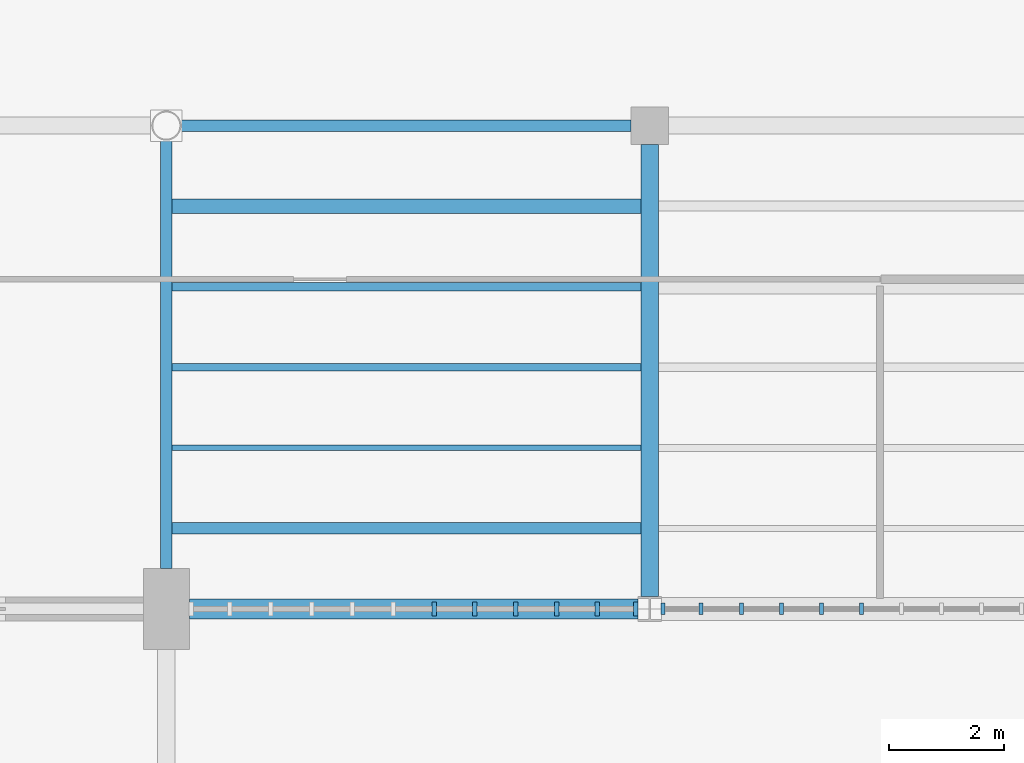
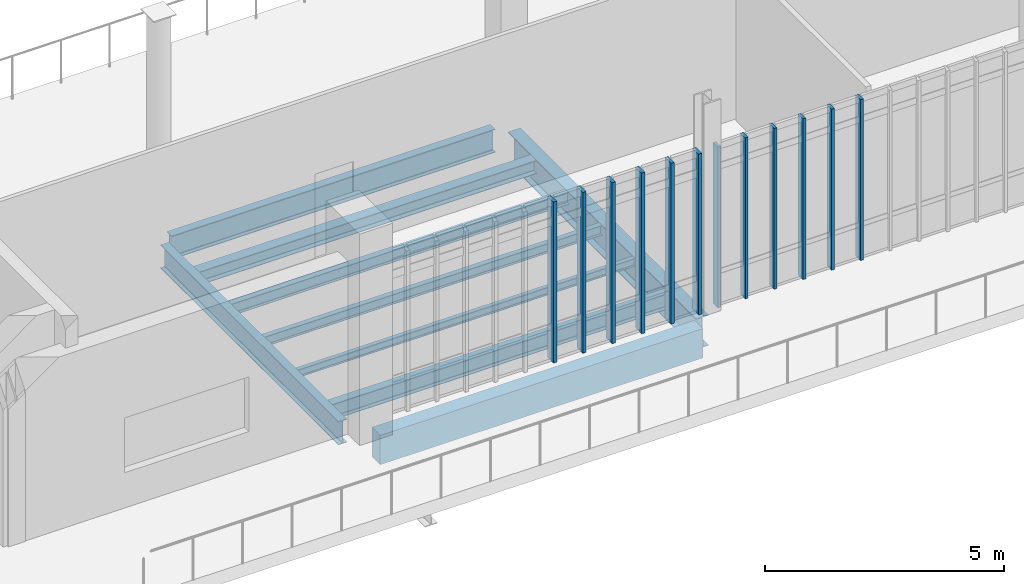
# One storey, part 9 of 135: 12 members, 9 beams, 2 elements without a shape of their own.
"""IFC4 building model written with IfcOpenShell, lengths in metres."""

from ifc_helpers import new_model, si_unit, direction, frame, origin, origin_2d, place, context, subcontext, project, spatial, rectangle, i_section, extrude, material, material_profile, profile_set, type_object, element, aggregate, save


model = new_model("IFC4")

# Units and contexts
model_context = context("Model", 3, precision=1e-05, world=origin(), true_north=direction((0.0, 1.0)))
body_context = subcontext(model_context, "Body", "Model", "MODEL_VIEW")
ifc_project = project(units=[si_unit("LENGTHUNIT", "METRE"), si_unit("AREAUNIT", "SQUARE_METRE"), si_unit("VOLUMEUNIT", "CUBIC_METRE"), si_unit("PLANEANGLEUNIT", "RADIAN"), si_unit("MASSUNIT", "GRAM", prefix="KILO")], contexts=[model_context])

# Site, building, storey
site_placement = place(None, origin())
site = spatial("IfcSite", under=ifc_project, at=site_placement, CompositionType="ELEMENT")
building_placement = place(site_placement, origin())
building = spatial("IfcBuilding", under=site, at=building_placement, Name="Larkvane Passage Sports Hall", CompositionType="ELEMENT")
storey_placement = place(building_placement, frame((0.0, 0.0, 16.800048828125)))
storey = spatial("IfcBuildingStorey", under=building, at=storey_placement, Name="L03", CompositionType="ELEMENT", Elevation=16.800048828125)

# Beams
ifc_material_1 = material(Name="Steel S355JR", Category="steel")
ifc_material_profile_1 = material_profile(ifc_material_1, i_section(OverallWidth=0.199951171875, OverallDepth=0.60009765625, WebThickness=0.010986328125, FlangeThickness=0.01708984375, FilletRadius=0.01806640625, at=origin_2d()), Name="H-600x200x11x17")
ifc_profile_set_1 = profile_set([ifc_material_profile_1], Name="Steel S355JR")
beam_type_1 = type_object("IfcBeamType", Name="BM-STL-H600", PredefinedType="BEAM", material=ifc_profile_set_1)
beam_1_placement = place(storey_placement, frame((51.85400390625, 31.199951171875, -0.64013671875), z_axis=(1.0, 0.0, 0.0), x_axis=(0.0, 1.0, 0.0)))
element("IfcBeam", 1, at=beam_1_placement, inside=storey, type_object=beam_type_1, Name="Girder BM5-X-L03-E-0982", PredefinedType="BEAM", context=body_context, shape_type="SweptSolid", body=[
    extrude(i_section(OverallWidth=0.199951171875, OverallDepth=0.60009765625, WebThickness=0.010986328125, FlangeThickness=0.01708984375, FilletRadius=0.01806640625, at=origin_2d()), origin(), (0.0, 0.0, 1.0), 7.821044921875),
])
beam_2_placement = place(storey_placement, frame((51.60009765625, 23.5, -0.64013671875), z_axis=(0.0, 1.0, 0.0), x_axis=(-1.0, 0.0, 0.0)))
element("IfcBeam", 2, at=beam_2_placement, inside=storey, type_object=beam_type_1, Name="Girder BM5-Y-L03-8-1021", PredefinedType="BEAM", context=body_context, shape_type="SweptSolid", body=[
    extrude(i_section(OverallWidth=0.199951171875, OverallDepth=0.60009765625, WebThickness=0.010986328125, FlangeThickness=0.01708984375, FilletRadius=0.01806640625, at=origin_2d()), origin(), (0.0, 0.0, 1.0), 7.446044921875),
])
ifc_material_2 = material(Name="Steel S460N", Category="steel")
ifc_material_profile_2 = material_profile(ifc_material_2, i_section(OverallWidth=0.300048828125, OverallDepth=0.7919921875, WebThickness=0.013916015625, FlangeThickness=0.02197265625, FilletRadius=0.02197265625, at=origin_2d()), Name="H-792x300x14x22")
ifc_profile_set_2 = profile_set([ifc_material_profile_2], Name="Steel S460N")
beam_type_2 = type_object("IfcBeamType", Name="BM-STL-H792", PredefinedType="BEAM", material=ifc_profile_set_2)
beam_3_placement = place(storey_placement, frame((60.0, 23.013916015625, -0.736083984375), z_axis=(0.0, 1.0, 0.0), x_axis=(-1.0, 0.0, 0.0)))
element("IfcBeam", 3, at=beam_3_placement, inside=storey, type_object=beam_type_2, Name="Girder BM5-Y-L03-9-1024", PredefinedType="BEAM", context=body_context, shape_type="SweptSolid", body=[
    extrude(i_section(OverallWidth=0.300048828125, OverallDepth=0.7919921875, WebThickness=0.013916015625, FlangeThickness=0.02197265625, FilletRadius=0.02197265625, at=origin_2d()), origin(), (0.0, 0.0, 1.0), 7.861083984375),
])

# Curtain wall, members
ifc_material_3 = material(Name="Thermally broken aluminium and low-E glazing", Category="aluminium")
curtain_wall_type_1 = type_object("IfcCurtainWallType", Name="CW-UNIT-VEIL", PredefinedType="USERDEFINED", material=ifc_material_3)
curtain_wall_1_placement = place(storey_placement, origin())
curtain_wall_1 = element("IfcCurtainWall", 4, at=curtain_wall_1_placement, inside=storey, type_object=curtain_wall_type_1, Name="Curtain wall CW5-L03-125", ObjectType="UNITISED CURTAIN WALL", PredefinedType="USERDEFINED")
ifc_material_4 = material(Name="Anodised aluminium 6063-T6", Category="aluminium")
ifc_material_profile_3 = material_profile(ifc_material_4, rectangle(XDim=0.070068359375, YDim=0.199951171875, at=origin_2d()), Name="ALU-MUL-70x200")
ifc_profile_set_3 = profile_set([ifc_material_profile_3], Name="Anodised aluminium 6063-T6")
member_type_1 = type_object("IfcMemberType", Name="CW-MUL-70x200", PredefinedType="MULLION", material=ifc_profile_set_3)
member_1_placement = place(storey_placement, frame((63.6787109375, 22.800048828125, 0.0), z_axis=(0.0, 0.0, 1.0), x_axis=(-1.0, 0.0, 0.0)))
member_1 = element("IfcMember", 5, at=member_1_placement, type_object=member_type_1, Name="CW-02 mullion 7", PredefinedType="MULLION", context=body_context, shape_type="SweptSolid", body=[
    extrude(rectangle(XDim=0.070068359375, YDim=0.199951171875, at=origin_2d()), origin(), (0.0, 0.0, 1.0), 4.10791015625),
])
member_2_placement = place(storey_placement, frame((62.98291015625, 22.800048828125, 0.0), z_axis=(0.0, 0.0, 1.0), x_axis=(-1.0, 0.0, 0.0)))
member_2 = element("IfcMember", 6, at=member_2_placement, type_object=member_type_1, Name="CW-02 mullion 8", PredefinedType="MULLION", context=body_context, shape_type="SweptSolid", body=[
    extrude(rectangle(XDim=0.070068359375, YDim=0.199951171875, at=origin_2d()), origin(), (0.0, 0.0, 1.0), 4.10791015625),
])
member_3_placement = place(storey_placement, frame((62.287109375, 22.800048828125, 0.0), z_axis=(0.0, 0.0, 1.0), x_axis=(-1.0, 0.0, 0.0)))
member_3 = element("IfcMember", 7, at=member_3_placement, type_object=member_type_1, Name="CW-02 mullion 9", PredefinedType="MULLION", context=body_context, shape_type="SweptSolid", body=[
    extrude(rectangle(XDim=0.070068359375, YDim=0.199951171875, at=origin_2d()), origin(), (0.0, 0.0, 1.0), 4.10791015625),
])
member_4_placement = place(storey_placement, frame((61.59130859375, 22.800048828125, 0.0), z_axis=(0.0, 0.0, 1.0), x_axis=(-1.0, 0.0, 0.0)))
member_4 = element("IfcMember", 8, at=member_4_placement, type_object=member_type_1, Name="CW-02 mullion 10", PredefinedType="MULLION", context=body_context, shape_type="SweptSolid", body=[
    extrude(rectangle(XDim=0.070068359375, YDim=0.199951171875, at=origin_2d()), origin(), (0.0, 0.0, 1.0), 4.10791015625),
])
member_5_placement = place(storey_placement, frame((60.895263671875, 22.800048828125, 0.0), z_axis=(0.0, 0.0, 1.0), x_axis=(-1.0, 0.0, 0.0)))
member_5 = element("IfcMember", 9, at=member_5_placement, type_object=member_type_1, Name="CW-02 mullion 11", PredefinedType="MULLION", context=body_context, shape_type="SweptSolid", body=[
    extrude(rectangle(XDim=0.070068359375, YDim=0.199951171875, at=origin_2d()), origin(), (0.0, 0.0, 1.0), 4.10791015625),
])
member_6_placement = place(storey_placement, frame((60.234619140625, 22.800048828125, 0.0), z_axis=(0.0, 0.0, 1.0), x_axis=(-1.0, 0.0, 0.0)))
member_6 = element("IfcMember", 10, at=member_6_placement, type_object=member_type_1, Name="CW-02 mullion 12", PredefinedType="MULLION", context=body_context, shape_type="SweptSolid", body=[
    extrude(rectangle(XDim=0.070068359375, YDim=0.199951171875, at=origin_2d()), origin(), (0.0, 0.0, 1.0), 4.10791015625),
])
aggregate(curtain_wall_1, [member_1, member_2, member_3, member_4, member_5, member_6])

curtain_wall_type_2 = type_object("IfcCurtainWallType", Name="CW-STICK-FOYER", PredefinedType="USERDEFINED", material=ifc_material_3)
curtain_wall_2_placement = place(storey_placement, origin())
curtain_wall_2 = element("IfcCurtainWall", 11, at=curtain_wall_2_placement, inside=storey, type_object=curtain_wall_type_2, Name="Curtain wall CW5-L03-126", ObjectType="STICK CURTAIN WALL", PredefinedType="USERDEFINED")
ifc_material_profile_4 = material_profile(ifc_material_4, rectangle(XDim=0.080078125, YDim=0.25, at=origin_2d()), Name="ALU-MUL-80x250")
ifc_profile_set_4 = profile_set([ifc_material_profile_4], Name="Anodised aluminium 6063-T6")
member_type_2 = type_object("IfcMemberType", Name="CW-MUL-80x250", PredefinedType="MULLION", material=ifc_profile_set_4)
member_7_placement = place(storey_placement, frame((59.760498046875, 22.800048828125, 0.0), z_axis=(0.0, 0.0, 1.0), x_axis=(-1.0, 0.0, 0.0)))
member_7 = element("IfcMember", 12, at=member_7_placement, type_object=member_type_2, Name="CW-03 mullion 1", PredefinedType="MULLION", context=body_context, shape_type="SweptSolid", body=[
    extrude(rectangle(XDim=0.080078125, YDim=0.25, at=origin_2d()), origin(), (0.0, 0.0, 1.0), 4.10791015625),
])
member_8_placement = place(storey_placement, frame((59.091064453125, 22.800048828125, 0.0), z_axis=(0.0, 0.0, 1.0), x_axis=(-1.0, 0.0, 0.0)))
member_8 = element("IfcMember", 13, at=member_8_placement, type_object=member_type_2, Name="CW-03 mullion 2", PredefinedType="MULLION", context=body_context, shape_type="SweptSolid", body=[
    extrude(rectangle(XDim=0.080078125, YDim=0.25, at=origin_2d()), origin(), (0.0, 0.0, 1.0), 4.10791015625),
])
member_9_placement = place(storey_placement, frame((58.381591796875, 22.800048828125, 0.0), z_axis=(0.0, 0.0, 1.0), x_axis=(-1.0, 0.0, 0.0)))
member_9 = element("IfcMember", 14, at=member_9_placement, type_object=member_type_2, Name="CW-03 mullion 3", PredefinedType="MULLION", context=body_context, shape_type="SweptSolid", body=[
    extrude(rectangle(XDim=0.080078125, YDim=0.25, at=origin_2d()), origin(), (0.0, 0.0, 1.0), 4.10791015625),
])
member_10_placement = place(storey_placement, frame((57.672119140625, 22.800048828125, 0.0), z_axis=(0.0, 0.0, 1.0), x_axis=(-1.0, 0.0, 0.0)))
member_10 = element("IfcMember", 15, at=member_10_placement, type_object=member_type_2, Name="CW-03 mullion 4", PredefinedType="MULLION", context=body_context, shape_type="SweptSolid", body=[
    extrude(rectangle(XDim=0.080078125, YDim=0.25, at=origin_2d()), origin(), (0.0, 0.0, 1.0), 4.10791015625),
])
member_11_placement = place(storey_placement, frame((56.96240234375, 22.800048828125, 0.0), z_axis=(0.0, 0.0, 1.0), x_axis=(-1.0, 0.0, 0.0)))
member_11 = element("IfcMember", 16, at=member_11_placement, type_object=member_type_2, Name="CW-03 mullion 5", PredefinedType="MULLION", context=body_context, shape_type="SweptSolid", body=[
    extrude(rectangle(XDim=0.080078125, YDim=0.25, at=origin_2d()), origin(), (0.0, 0.0, 1.0), 4.10791015625),
])
member_12_placement = place(storey_placement, frame((56.2529296875, 22.800048828125, 0.0), z_axis=(0.0, 0.0, 1.0), x_axis=(-1.0, 0.0, 0.0)))
member_12 = element("IfcMember", 17, at=member_12_placement, type_object=member_type_2, Name="CW-03 mullion 6", PredefinedType="MULLION", context=body_context, shape_type="SweptSolid", body=[
    extrude(rectangle(XDim=0.080078125, YDim=0.25, at=origin_2d()), origin(), (0.0, 0.0, 1.0), 4.10791015625),
])
aggregate(curtain_wall_2, [member_7, member_8, member_9, member_10, member_11, member_12])

# Beams
ifc_material_profile_5 = material_profile(ifc_material_1, i_section(OverallWidth=0.10009765625, OverallDepth=0.199951171875, WebThickness=0.005615234375, FlangeThickness=0.008056640625, FilletRadius=0.008056640625, at=origin_2d()), Name="H-200x100x5.5x8")
ifc_profile_set_5 = profile_set([ifc_material_profile_5], Name="Steel S355JR")
beam_type_3 = type_object("IfcBeamType", Name="JST-STL-H200", PredefinedType="JOIST", material=ifc_profile_set_5)
beam_4_placement = place(storey_placement, frame((51.699951171875, 25.60009765625, -0.43994140625), z_axis=(1.0, 0.0, 0.0), x_axis=(0.0, 1.0, 0.0)))
element("IfcBeam", 18, at=beam_4_placement, inside=storey, type_object=beam_type_3, Name="Composite joist L03 8/D-2", PredefinedType="JOIST", context=body_context, shape_type="SweptSolid", body=[
    extrude(i_section(OverallWidth=0.10009765625, OverallDepth=0.199951171875, WebThickness=0.005615234375, FlangeThickness=0.008056640625, FilletRadius=0.008056640625, at=origin_2d()), origin(), (0.0, 0.0, 1.0), 8.150146484375),
])
ifc_material_profile_6 = material_profile(ifc_material_1, i_section(OverallWidth=0.125, OverallDepth=0.25, WebThickness=0.006103515625, FlangeThickness=0.009033203125, FilletRadius=0.008056640625, at=origin_2d()), Name="H-250x125x6x9")
ifc_profile_set_6 = profile_set([ifc_material_profile_6], Name="Steel S355JR")
beam_type_4 = type_object("IfcBeamType", Name="JST-STL-H250", PredefinedType="JOIST", material=ifc_profile_set_6)
beam_5_placement = place(storey_placement, frame((51.699951171875, 27.0, -0.465087890625), z_axis=(1.0, 0.0, 0.0), x_axis=(0.0, 1.0, 0.0)))
element("IfcBeam", 19, at=beam_5_placement, inside=storey, type_object=beam_type_4, Name="Composite joist L03 8/D-3", PredefinedType="JOIST", context=body_context, shape_type="SweptSolid", body=[
    extrude(i_section(OverallWidth=0.125, OverallDepth=0.25, WebThickness=0.006103515625, FlangeThickness=0.009033203125, FilletRadius=0.008056640625, at=origin_2d()), origin(), (0.0, 0.0, 1.0), 8.150146484375),
])
ifc_material_profile_7 = material_profile(ifc_material_1, i_section(OverallWidth=0.14990234375, OverallDepth=0.300048828125, WebThickness=0.006591796875, FlangeThickness=0.009033203125, FilletRadius=0.012939453125, at=origin_2d()), Name="H-300x150x6.5x9")
ifc_profile_set_7 = profile_set([ifc_material_profile_7], Name="Steel S355JR")
beam_type_5 = type_object("IfcBeamType", Name="JST-STL-H300", PredefinedType="JOIST", material=ifc_profile_set_7)
beam_6_placement = place(storey_placement, frame((51.699951171875, 28.39990234375, -0.489990234375), z_axis=(1.0, 0.0, 0.0), x_axis=(0.0, 1.0, 0.0)))
element("IfcBeam", 20, at=beam_6_placement, inside=storey, type_object=beam_type_5, Name="Composite joist L03 8/D-4", PredefinedType="JOIST", context=body_context, shape_type="SweptSolid", body=[
    extrude(i_section(OverallWidth=0.14990234375, OverallDepth=0.300048828125, WebThickness=0.006591796875, FlangeThickness=0.009033203125, FilletRadius=0.012939453125, at=origin_2d()), origin(), (0.0, 0.0, 1.0), 8.150146484375),
])
ifc_material_profile_8 = material_profile(ifc_material_1, i_section(OverallWidth=0.25, OverallDepth=0.340087890625, WebThickness=0.009033203125, FlangeThickness=0.013916015625, FilletRadius=0.012939453125, at=origin_2d()), Name="H-340x250x9x14")
ifc_profile_set_8 = profile_set([ifc_material_profile_8], Name="Steel S355JR")
beam_type_6 = type_object("IfcBeamType", Name="JST-STL-H340", PredefinedType="JOIST", material=ifc_profile_set_8)
beam_7_placement = place(storey_placement, frame((51.699951171875, 29.800048828125, -0.510009765625), z_axis=(1.0, 0.0, 0.0), x_axis=(0.0, 1.0, 0.0)))
element("IfcBeam", 21, at=beam_7_placement, inside=storey, type_object=beam_type_6, Name="Composite joist L03 8/D-5", PredefinedType="JOIST", context=body_context, shape_type="SweptSolid", body=[
    extrude(i_section(OverallWidth=0.25, OverallDepth=0.340087890625, WebThickness=0.009033203125, FlangeThickness=0.013916015625, FilletRadius=0.012939453125, at=origin_2d()), origin(), (0.0, 0.0, 1.0), 8.150146484375),
])
ifc_material_profile_9 = material_profile(ifc_material_1, i_section(OverallWidth=0.199951171875, OverallDepth=0.39990234375, WebThickness=0.008056640625, FlangeThickness=0.012939453125, FilletRadius=0.012939453125, at=origin_2d()), Name="H-400x200x8x13")
ifc_profile_set_9 = profile_set([ifc_material_profile_9], Name="Steel S355JR")
beam_type_7 = type_object("IfcBeamType", Name="JST-STL-H400", PredefinedType="JOIST", material=ifc_profile_set_9)
beam_8_placement = place(storey_placement, frame((51.699951171875, 24.199951171875, -0.5400390625), z_axis=(1.0, 0.0, 0.0), x_axis=(0.0, 1.0, 0.0)))
element("IfcBeam", 22, at=beam_8_placement, inside=storey, type_object=beam_type_7, Name="Composite joist L03 8/D-1", PredefinedType="JOIST", context=body_context, shape_type="SweptSolid", body=[
    extrude(i_section(OverallWidth=0.199951171875, OverallDepth=0.39990234375, WebThickness=0.008056640625, FlangeThickness=0.012939453125, FilletRadius=0.012939453125, at=origin_2d()), origin(), (0.0, 0.0, 1.0), 8.150146484375),
])
ifc_material_5 = material(Name="Concrete C40/50", Category="concrete")
ifc_material_profile_10 = material_profile(ifc_material_5, rectangle(XDim=0.35009765625, YDim=0.75, at=origin_2d()), Name="RC-SP-350x750")
ifc_profile_set_10 = profile_set([ifc_material_profile_10], Name="Concrete C40/50")
beam_type_8 = type_object("IfcBeamType", Name="SP-RC-350x750", PredefinedType="SPANDREL", material=ifc_profile_set_10)
beam_9_placement = place(storey_placement, frame((52.0, 22.800048828125, -0.715087890625), z_axis=(1.0, 0.0, 0.0), x_axis=(0.0, 1.0, 0.0)))
element("IfcBeam", 23, at=beam_9_placement, inside=storey, type_object=beam_type_8, Name="Girder BM5-X-L03-D-0977", PredefinedType="SPANDREL", context=body_context, shape_type="SweptSolid", body=[
    extrude(rectangle(XDim=0.35009765625, YDim=0.75, at=origin_2d()), origin(), (0.0, 0.0, 1.0), 7.79638671875),
])

save(model, "model.ifc")
